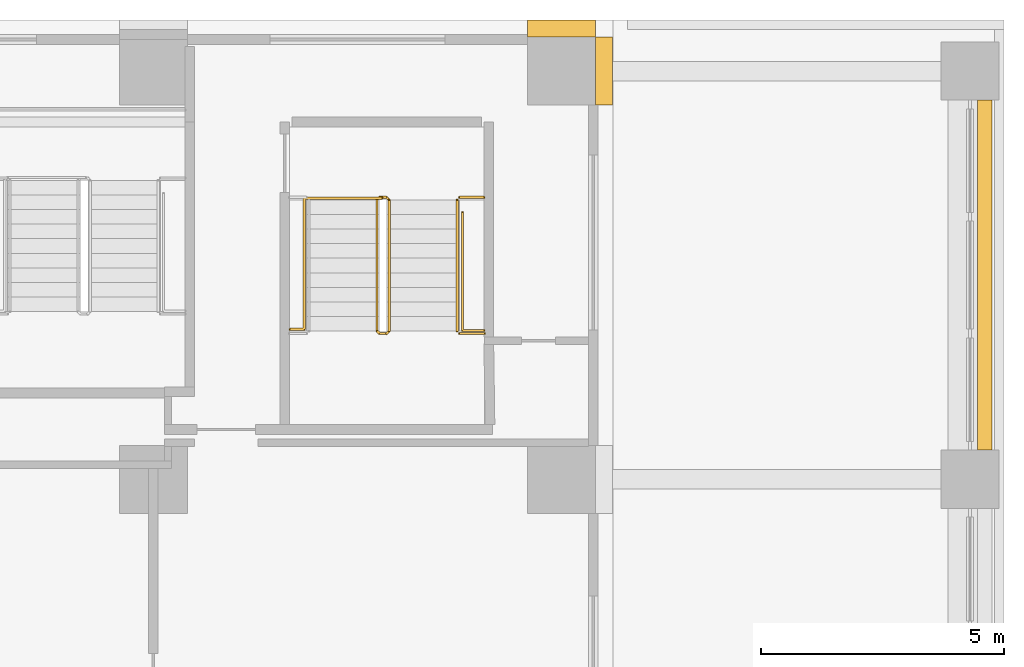
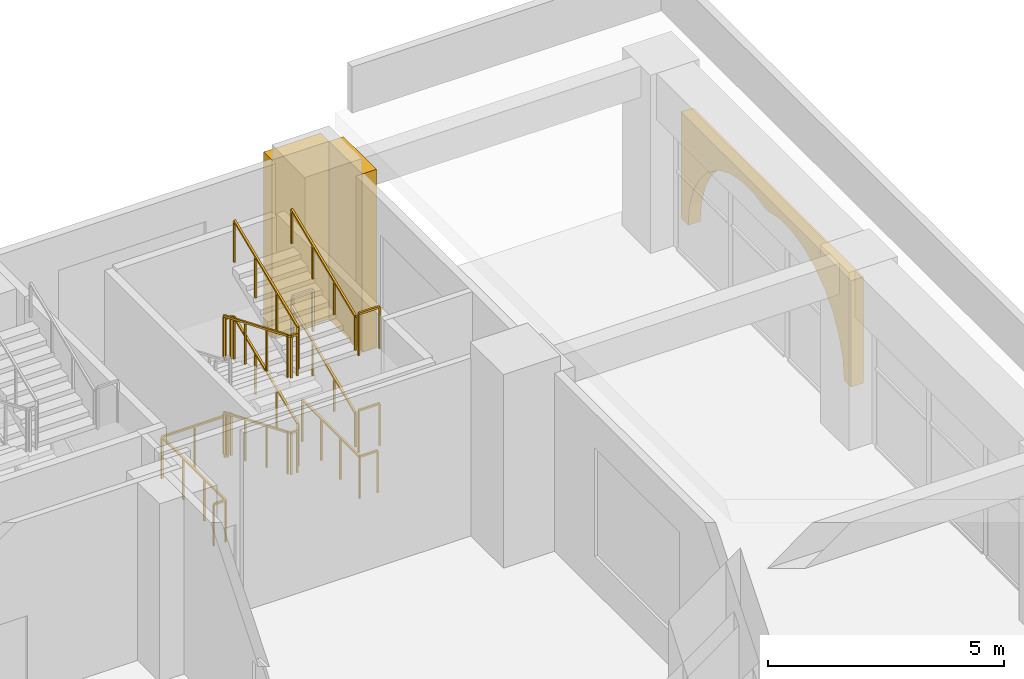
# One storey, part 29 of 29: 8 railings, 3 coverings.
"""IFC4 building model written with IfcOpenShell, lengths in metres."""

from ifc_helpers import new_model, si_unit, direction, frame, origin, origin_2d, place, context, subcontext, project, spatial, polyline, rectangle, outline, extrude, material, type_object, element, save


model = new_model("IFC4")

# Units and contexts
model_context = context("Model", 3, precision=1e-05, world=origin(), true_north=direction((0.0, 1.0)))
body_context = subcontext(model_context, "Body", "Model", "MODEL_VIEW")
ifc_project = project(units=[si_unit("LENGTHUNIT", "METRE"), si_unit("AREAUNIT", "SQUARE_METRE"), si_unit("VOLUMEUNIT", "CUBIC_METRE"), si_unit("PLANEANGLEUNIT", "RADIAN"), si_unit("MASSUNIT", "GRAM", prefix="KILO")], contexts=[model_context])

# Site, building, storey
site_placement = place(None, origin())
site = spatial("IfcSite", under=ifc_project, at=site_placement, CompositionType="ELEMENT")
building_placement = place(site_placement, origin())
building = spatial("IfcBuilding", under=site, at=building_placement, Name="Vermilion Ogive Tower", CompositionType="ELEMENT")
storey_placement = place(building_placement, frame((0.0, 0.0, 7.5)))
storey = spatial("IfcBuildingStorey", under=building, at=storey_placement, Name="L01", CompositionType="ELEMENT", Elevation=7.5)

# Covering
ifc_material_1 = material(Name="Stone cladding", Category="masonry")
covering_type_1 = type_object("IfcCoveringType", Name="Arcade ogive head", PredefinedType="CLADDING", material=ifc_material_1)
covering_1_placement = place(storey_placement, frame((58.949951171875, 25.199951171875, 3.39990234375), z_axis=(1.0, 0.0, 0.0), x_axis=(0.0, 1.0, 0.0)))
element("IfcCovering", 1, at=covering_1_placement, inside=storey, type_object=covering_type_1, Name="Arcade stone head L01 7", PredefinedType="CLADDING", context=body_context, shape_type="SweptSolid", body=[
    extrude(outline(polyline([(-3.300048828125, -2.75), (-3.244873046875, -2.225830078125), (-3.08203125, -1.724365234375), (-2.818603515625, -1.267822265625), (-2.466064453125, -0.8759765625), (-2.039794921875, -0.56591796875), (-1.558349609375, -0.351318359375), (-1.042724609375, -0.2412109375), (-0.515625, -0.240966796875), (0.0, -0.35009765625), (0.515625, -0.240966796875), (1.042724609375, -0.2412109375), (1.558349609375, -0.351318359375), (2.039794921875, -0.56591796875), (2.466064453125, -0.8759765625), (2.818603515625, -1.267822265625), (3.08203125, -1.724365234375), (3.244873046875, -2.225830078125), (3.300048828125, -2.75), (3.60009765625, -2.75), (3.60009765625, 0.0), (-3.60009765625, 0.0), (-3.60009765625, -2.75), (-3.300048828125, -2.75)])), origin(), (0.0, 0.0, 1.0), 0.300048828125),
])

# Railings
ifc_material_2 = material(Name="Steel S355 painted", Category="steel")
railing_type_1 = type_object("IfcRailingType", Name="Stair guard 1100", PredefinedType="GUARDRAIL", material=ifc_material_2)
railing_1_placement = place(storey_placement, frame((46.800048828125, 26.800048828125, 0.0)))
element("IfcRailing", 2, at=railing_1_placement, inside=storey, type_object=railing_type_1, Name="L01 PEN stair guard 8", PredefinedType="GUARDRAIL", context=body_context, shape_type="SweptSolid", body=[
    extrude(rectangle(XDim=0.048095703125, YDim=0.048095703125, at=origin_2d()), frame((0.0, 0.0, 1.076171875), z_axis=(-1.0, 0.0, 0.0), x_axis=(0.0, -1.0, 0.0)), (0.0, 0.0, 1.0), 0.150146484375),
    extrude(rectangle(XDim=0.048095703125, YDim=0.048095703125, at=origin_2d()), frame((-0.150146484375, 0.0, 1.076171875), z_axis=(-0.346918206498, -0.348618785942, 0.870696675133), x_axis=(0.708833529934, -0.705375805398, 0.0)), (0.0, 0.0, 1.0), 0.1435546875),
    extrude(rectangle(XDim=0.048095703125, YDim=0.048095703125, at=origin_2d()), frame((-0.199951171875, -0.050048828125, 1.201171875), z_axis=(0.0, -0.923074453586, 0.384621311341), x_axis=(1.0, 0.0, 0.0)), (0.0, 0.0, 1.0), 2.925048828125),
    extrude(rectangle(XDim=0.048095703125, YDim=0.048095703125, at=origin_2d()), frame((-0.199951171875, -2.75, 2.326171875), z_axis=(0.705375805398, -0.708833529934, 0.0), x_axis=(0.708833529934, 0.705375805398, 0.0)), (0.0, 0.0, 1.0), 0.070556640625),
    extrude(rectangle(XDim=0.048095703125, YDim=0.048095703125, at=origin_2d()), frame((-0.150146484375, -2.800048828125, 2.326171875), z_axis=(1.0, 0.0, 0.0), x_axis=(0.0, 1.0, 0.0)), (0.0, 0.0, 1.0), 0.150146484375),
    extrude(rectangle(XDim=0.048095703125, YDim=0.048095703125, at=origin_2d()), frame((0.0, -2.800048828125, 2.326171875), z_axis=(0.34841279274, 0.34841279274, 0.870182194549), x_axis=(-0.707106781187, 0.707106781187, 0.0)), (0.0, 0.0, 1.0), 0.1435546875),
    extrude(rectangle(XDim=0.048095703125, YDim=0.048095703125, at=origin_2d()), frame((0.050048828125, -2.75, 2.451171875), z_axis=(0.0, 0.923074453586, 0.384621311341), x_axis=(-1.0, 0.0, 0.0)), (0.0, 0.0, 1.0), 2.925048828125),
    extrude(rectangle(XDim=0.048095703125, YDim=0.048095703125, at=origin_2d()), frame((0.050048828125, -0.050048828125, 3.576171875), z_axis=(-0.707106781187, 0.707106781187, 0.0), x_axis=(-0.707106781187, -0.707106781187, 0.0)), (0.0, 0.0, 1.0), 0.07080078125),
    extrude(rectangle(XDim=0.048095703125, YDim=0.048095703125, at=origin_2d()), frame((0.0, 0.0, 3.576171875), z_axis=(-1.0, 0.0, 0.0), x_axis=(0.0, -1.0, 0.0)), (0.0, 0.0, 1.0), 0.150146484375),
    extrude(rectangle(XDim=0.048095703125, YDim=0.048095703125, at=origin_2d()), frame((-0.150146484375, 0.0, 3.576171875), z_axis=(-0.346918206498, -0.348618785942, 0.870696675133), x_axis=(0.708833529934, -0.705375805398, 0.0)), (0.0, 0.0, 1.0), 0.1435546875),
    extrude(rectangle(XDim=0.048095703125, YDim=0.048095703125, at=origin_2d()), frame((-0.199951171875, -0.050048828125, 3.701171875), z_axis=(0.0, -0.923074453586, 0.384621311341), x_axis=(1.0, 0.0, 0.0)), (0.0, 0.0, 1.0), 2.925048828125),
    extrude(rectangle(XDim=0.048095703125, YDim=0.048095703125, at=origin_2d()), frame((-0.199951171875, -2.75, 4.826171875), z_axis=(0.705375805398, -0.708833529934, 0.0), x_axis=(0.708833529934, 0.705375805398, 0.0)), (0.0, 0.0, 1.0), 0.070556640625),
    extrude(rectangle(XDim=0.048095703125, YDim=0.048095703125, at=origin_2d()), frame((-0.150146484375, -2.800048828125, 4.826171875), z_axis=(1.0, 0.0, 0.0), x_axis=(0.0, 1.0, 0.0)), (0.0, 0.0, 1.0), 0.150146484375),
    extrude(rectangle(XDim=0.048095703125, YDim=0.048095703125, at=origin_2d()), frame((0.0, -2.800048828125, 4.826171875), z_axis=(0.34841279274, 0.34841279274, 0.870182194549), x_axis=(-0.707106781187, 0.707106781187, 0.0)), (0.0, 0.0, 1.0), 0.1435546875),
    extrude(rectangle(XDim=0.048095703125, YDim=0.048095703125, at=origin_2d()), frame((0.050048828125, -2.75, 4.951171875), z_axis=(0.0, 0.923074453586, 0.384621311341), x_axis=(-1.0, 0.0, 0.0)), (0.0, 0.0, 1.0), 2.925048828125),
    extrude(rectangle(XDim=0.0419921875, YDim=0.0419921875, at=origin_2d()), origin(), (0.0, 0.0, 1.0), 1.052001953125),
    extrude(rectangle(XDim=0.0419921875, YDim=0.0419921875, at=origin_2d()), frame((-0.150146484375, 0.0, 0.0)), (0.0, 0.0, 1.0), 1.052001953125),
    extrude(rectangle(XDim=0.0419921875, YDim=0.0419921875, at=origin_2d()), frame((-0.199951171875, -0.050048828125, 0.125)), (0.0, 0.0, 1.0), 1.052001953125),
    extrude(rectangle(XDim=0.0419921875, YDim=0.0419921875, at=origin_2d()), frame((-0.199951171875, -0.949951171875, 0.5)), (0.0, 0.0, 1.0), 1.052001953125),
    extrude(rectangle(XDim=0.0419921875, YDim=0.0419921875, at=origin_2d()), frame((-0.199951171875, -1.85009765625, 0.875)), (0.0, 0.0, 1.0), 1.052001953125),
    extrude(rectangle(XDim=0.0419921875, YDim=0.0419921875, at=origin_2d()), frame((-0.199951171875, -2.75, 1.25)), (0.0, 0.0, 1.0), 1.052001953125),
    extrude(rectangle(XDim=0.0419921875, YDim=0.0419921875, at=origin_2d()), frame((-0.150146484375, -2.800048828125, 1.25)), (0.0, 0.0, 1.0), 1.052001953125),
    extrude(rectangle(XDim=0.0419921875, YDim=0.0419921875, at=origin_2d()), frame((0.0, -2.800048828125, 1.25)), (0.0, 0.0, 1.0), 1.052001953125),
    extrude(rectangle(XDim=0.0419921875, YDim=0.0419921875, at=origin_2d()), frame((0.050048828125, -2.75, 1.375)), (0.0, 0.0, 1.0), 1.052001953125),
    extrude(rectangle(XDim=0.0419921875, YDim=0.0419921875, at=origin_2d()), frame((0.050048828125, -1.85009765625, 1.75)), (0.0, 0.0, 1.0), 1.052001953125),
    extrude(rectangle(XDim=0.0419921875, YDim=0.0419921875, at=origin_2d()), frame((0.050048828125, -0.949951171875, 2.125)), (0.0, 0.0, 1.0), 1.052001953125),
    extrude(rectangle(XDim=0.0419921875, YDim=0.0419921875, at=origin_2d()), frame((0.050048828125, -0.050048828125, 2.5)), (0.0, 0.0, 1.0), 1.052001953125),
    extrude(rectangle(XDim=0.0419921875, YDim=0.0419921875, at=origin_2d()), frame((0.0, 0.0, 2.5)), (0.0, 0.0, 1.0), 1.052001953125),
    extrude(rectangle(XDim=0.0419921875, YDim=0.0419921875, at=origin_2d()), frame((-0.150146484375, 0.0, 2.5)), (0.0, 0.0, 1.0), 1.052001953125),
    extrude(rectangle(XDim=0.0419921875, YDim=0.0419921875, at=origin_2d()), frame((-0.199951171875, -0.050048828125, 2.625)), (0.0, 0.0, 1.0), 1.052001953125),
    extrude(rectangle(XDim=0.0419921875, YDim=0.0419921875, at=origin_2d()), frame((-0.199951171875, -0.949951171875, 3.0)), (0.0, 0.0, 1.0), 1.052001953125),
    extrude(rectangle(XDim=0.0419921875, YDim=0.0419921875, at=origin_2d()), frame((-0.199951171875, -1.85009765625, 3.375)), (0.0, 0.0, 1.0), 1.052001953125),
    extrude(rectangle(XDim=0.0419921875, YDim=0.0419921875, at=origin_2d()), frame((-0.199951171875, -2.75, 3.75)), (0.0, 0.0, 1.0), 1.052001953125),
    extrude(rectangle(XDim=0.0419921875, YDim=0.0419921875, at=origin_2d()), frame((-0.150146484375, -2.800048828125, 3.75)), (0.0, 0.0, 1.0), 1.052001953125),
    extrude(rectangle(XDim=0.0419921875, YDim=0.0419921875, at=origin_2d()), frame((0.0, -2.800048828125, 3.75)), (0.0, 0.0, 1.0), 1.052001953125),
    extrude(rectangle(XDim=0.0419921875, YDim=0.0419921875, at=origin_2d()), frame((0.050048828125, -2.75, 3.875)), (0.0, 0.0, 1.0), 1.052001953125),
    extrude(rectangle(XDim=0.0419921875, YDim=0.0419921875, at=origin_2d()), frame((0.050048828125, -1.85009765625, 4.25)), (0.0, 0.0, 1.0), 1.052001953125),
    extrude(rectangle(XDim=0.0419921875, YDim=0.0419921875, at=origin_2d()), frame((0.050048828125, -0.949951171875, 4.625)), (0.0, 0.0, 1.0), 1.052001953125),
    extrude(rectangle(XDim=0.0419921875, YDim=0.0419921875, at=origin_2d()), frame((0.050048828125, -0.050048828125, 5.0)), (0.0, 0.0, 1.0), 1.052001953125),
])
railing_2_placement = place(storey_placement, frame((48.300048828125, 24.0, 1.25)))
element("IfcRailing", 3, at=railing_2_placement, inside=storey, type_object=railing_type_1, Name="L01 landing guard", PredefinedType="GUARDRAIL", context=body_context, shape_type="SweptSolid", body=[
    extrude(rectangle(XDim=0.048095703125, YDim=0.048095703125, at=origin_2d()), frame((0.0, 0.0, 1.076171875), z_axis=(1.0, 0.0, 0.0), x_axis=(0.0, 1.0, 0.0)), (0.0, 0.0, 1.0), 0.512451171875),
    extrude(rectangle(XDim=0.0419921875, YDim=0.0419921875, at=origin_2d()), origin(), (0.0, 0.0, 1.0), 1.052001953125),
    extrude(rectangle(XDim=0.0419921875, YDim=0.0419921875, at=origin_2d()), frame((0.512451171875, 0.0, 0.0)), (0.0, 0.0, 1.0), 1.052001953125),
])
railing_3_placement = place(storey_placement, frame((48.300048828125, 26.800048828125, 2.5)))
element("IfcRailing", 4, at=railing_3_placement, inside=storey, type_object=railing_type_1, Name="L01 landing guard", PredefinedType="GUARDRAIL", context=body_context, shape_type="SweptSolid", body=[
    extrude(rectangle(XDim=0.048095703125, YDim=0.048095703125, at=origin_2d()), frame((0.0, 0.0, 1.076171875), z_axis=(1.0, 0.0, 0.0), x_axis=(0.0, 1.0, 0.0)), (0.0, 0.0, 1.0), 0.499755859375),
    extrude(rectangle(XDim=0.0419921875, YDim=0.0419921875, at=origin_2d()), origin(), (0.0, 0.0, 1.0), 1.052001953125),
    extrude(rectangle(XDim=0.0419921875, YDim=0.0419921875, at=origin_2d()), frame((0.499755859375, 0.0, 0.0)), (0.0, 0.0, 1.0), 1.052001953125),
])
railing_4_placement = place(storey_placement, frame((48.300048828125, 24.0, 3.75)))
element("IfcRailing", 5, at=railing_4_placement, inside=storey, type_object=railing_type_1, Name="L01 landing guard", PredefinedType="GUARDRAIL", context=body_context, shape_type="SweptSolid", body=[
    extrude(rectangle(XDim=0.048095703125, YDim=0.048095703125, at=origin_2d()), frame((0.0, 0.0, 1.076171875), z_axis=(1.0, 0.0, 0.0), x_axis=(0.0, 1.0, 0.0)), (0.0, 0.0, 1.0), 0.512451171875),
    extrude(rectangle(XDim=0.0419921875, YDim=0.0419921875, at=origin_2d()), origin(), (0.0, 0.0, 1.0), 1.052001953125),
    extrude(rectangle(XDim=0.0419921875, YDim=0.0419921875, at=origin_2d()), frame((0.512451171875, 0.0, 0.0)), (0.0, 0.0, 1.0), 1.052001953125),
])
railing_5_placement = place(storey_placement, frame((44.810791015625, 24.08447265625, 0.0)))
element("IfcRailing", 6, at=railing_5_placement, inside=storey, type_object=railing_type_1, Name="L01 stair opening guard", PredefinedType="GUARDRAIL", context=body_context, shape_type="SweptSolid", body=[
    extrude(rectangle(XDim=0.048095703125, YDim=0.048095703125, at=origin_2d()), frame((0.0, 0.0, 1.076171875), z_axis=(1.0, 0.0, 0.0), x_axis=(0.0, 1.0, 0.0)), (0.0, 0.0, 1.0), 0.289794921875),
    extrude(rectangle(XDim=0.048095703125, YDim=0.048095703125, at=origin_2d()), frame((0.289794921875, 0.0, 1.076171875), z_axis=(0.0, 1.0, 0.0), x_axis=(-1.0, 0.0, 0.0)), (0.0, 0.0, 1.0), 2.699951171875),
    extrude(rectangle(XDim=0.048095703125, YDim=0.048095703125, at=origin_2d()), frame((0.289794921875, 2.699951171875, 1.076171875), z_axis=(1.0, 0.0, 0.0), x_axis=(0.0, 1.0, 0.0)), (0.0, 0.0, 1.0), 1.60009765625),
    extrude(rectangle(XDim=0.0419921875, YDim=0.0419921875, at=origin_2d()), origin(), (0.0, 0.0, 1.0), 1.052001953125),
    extrude(rectangle(XDim=0.0419921875, YDim=0.0419921875, at=origin_2d()), frame((0.289794921875, 0.0, 0.0)), (0.0, 0.0, 1.0), 1.052001953125),
    extrude(rectangle(XDim=0.0419921875, YDim=0.0419921875, at=origin_2d()), frame((0.289794921875, 0.89990234375, 0.0)), (0.0, 0.0, 1.0), 1.052001953125),
    extrude(rectangle(XDim=0.0419921875, YDim=0.0419921875, at=origin_2d()), frame((0.289794921875, 1.800048828125, 0.0)), (0.0, 0.0, 1.0), 1.052001953125),
    extrude(rectangle(XDim=0.0419921875, YDim=0.0419921875, at=origin_2d()), frame((0.289794921875, 2.699951171875, 0.0)), (0.0, 0.0, 1.0), 1.052001953125),
    extrude(rectangle(XDim=0.0419921875, YDim=0.0419921875, at=origin_2d()), frame((1.08984375, 2.699951171875, 0.0)), (0.0, 0.0, 1.0), 1.052001953125),
    extrude(rectangle(XDim=0.0419921875, YDim=0.0419921875, at=origin_2d()), frame((1.889892578125, 2.699951171875, 0.0)), (0.0, 0.0, 1.0), 1.052001953125),
])
railing_6_placement = place(storey_placement, frame((48.359130859375, 26.485107421875, 0.0)))
element("IfcRailing", 7, at=railing_6_placement, inside=storey, type_object=railing_type_1, Name="L01 stair opening guard", PredefinedType="GUARDRAIL", context=body_context, shape_type="SweptSolid", body=[
    extrude(rectangle(XDim=0.048095703125, YDim=0.048095703125, at=origin_2d()), frame((0.0, 0.0, 1.076171875), z_axis=(0.0, -1.0, 0.0), x_axis=(1.0, 0.0, 0.0)), (0.0, 0.0, 1.0), 2.42431640625),
    extrude(rectangle(XDim=0.048095703125, YDim=0.048095703125, at=origin_2d()), frame((0.0, -2.42431640625, 1.076171875), z_axis=(1.0, 0.0, 0.0), x_axis=(0.0, 1.0, 0.0)), (0.0, 0.0, 1.0), 0.439697265625),
    extrude(rectangle(XDim=0.0419921875, YDim=0.0419921875, at=origin_2d()), origin(), (0.0, 0.0, 1.0), 1.052001953125),
    extrude(rectangle(XDim=0.0419921875, YDim=0.0419921875, at=origin_2d()), frame((0.0, -0.80810546875, 0.0)), (0.0, 0.0, 1.0), 1.052001953125),
    extrude(rectangle(XDim=0.0419921875, YDim=0.0419921875, at=origin_2d()), frame((0.0, -1.6162109375, 0.0)), (0.0, 0.0, 1.0), 1.052001953125),
    extrude(rectangle(XDim=0.0419921875, YDim=0.0419921875, at=origin_2d()), frame((0.0, -2.42431640625, 0.0)), (0.0, 0.0, 1.0), 1.052001953125),
    extrude(rectangle(XDim=0.0419921875, YDim=0.0419921875, at=origin_2d()), frame((0.439697265625, -2.42431640625, 0.0)), (0.0, 0.0, 1.0), 1.052001953125),
])
ifc_material_3 = material(Name="Stainless steel", Category="steel")
railing_type_2 = type_object("IfcRailingType", Name="Stair handrail 900", PredefinedType="HANDRAIL", material=ifc_material_3)
for number, where, name in (
    (8, (48.25, 24.050048828125, 1.375), "L01 PEN stair handrail 2"),
    (9, (48.25, 24.050048828125, 3.875), "L01 PEN stair handrail 4"),
):
    element("IfcRailing", number, at=place(storey_placement, frame(where)), inside=storey, type_object=railing_type_2, Name=name, PredefinedType="HANDRAIL", context=body_context, shape_type="SweptSolid", body=[
        extrude(rectangle(XDim=0.048095703125, YDim=0.048095703125, at=origin_2d()), frame((0.0, 0.0, 0.8759765625), z_axis=(0.0, 0.923074453586, 0.384621311341), x_axis=(-1.0, 0.0, 0.0)), (0.0, 0.0, 1.0), 2.925048828125),
        extrude(rectangle(XDim=0.0419921875, YDim=0.0419921875, at=origin_2d()), origin(), (0.0, 0.0, 1.0), 0.851806640625),
        extrude(rectangle(XDim=0.0419921875, YDim=0.0419921875, at=origin_2d()), frame((0.0, 0.89990234375, 0.375)), (0.0, 0.0, 1.0), 0.851806640625),
        extrude(rectangle(XDim=0.0419921875, YDim=0.0419921875, at=origin_2d()), frame((0.0, 1.800048828125, 0.75)), (0.0, 0.0, 1.0), 0.851806640625),
        extrude(rectangle(XDim=0.0419921875, YDim=0.0419921875, at=origin_2d()), frame((0.0, 2.699951171875, 1.125)), (0.0, 0.0, 1.0), 0.851806640625),
    ])

# Coverings
ifc_material_4 = material(Name="Stone cladding", Category="masonry")
covering_type_2 = type_object("IfcCoveringType", Name="Stone pier", PredefinedType="CLADDING", material=ifc_material_4)
covering_2_placement = place(storey_placement, origin())
element("IfcCovering", 10, at=covering_2_placement, inside=storey, type_object=covering_type_2, Name="Stone pier P+504+294E", PredefinedType="CLADDING", context=body_context, shape_type="SweptSolid", body=[
    extrude(outline(polyline([(51.10009765625, 30.10009765625), (51.10009765625, 30.10009765625), (51.449951171875, 30.10009765625), (51.449951171875, 28.699951171875), (51.10009765625, 28.699951171875), (51.10009765625, 28.699951171875), (51.10009765625, 30.10009765625)])), origin(), (0.0, 0.0, 1.0), 4.60009765625),
])
covering_3_placement = place(storey_placement, origin())
element("IfcCovering", 11, at=covering_3_placement, inside=storey, type_object=covering_type_2, Name="Stone pier P+504+294N", PredefinedType="CLADDING", context=body_context, shape_type="SweptSolid", body=[
    extrude(outline(polyline([(51.10009765625, 30.449951171875), (51.10009765625, 30.10009765625), (51.10009765625, 30.10009765625), (49.699951171875, 30.10009765625), (49.699951171875, 30.449951171875), (51.10009765625, 30.449951171875)])), origin(), (0.0, 0.0, 1.0), 4.60009765625),
])

save(model, "model.ifc")
